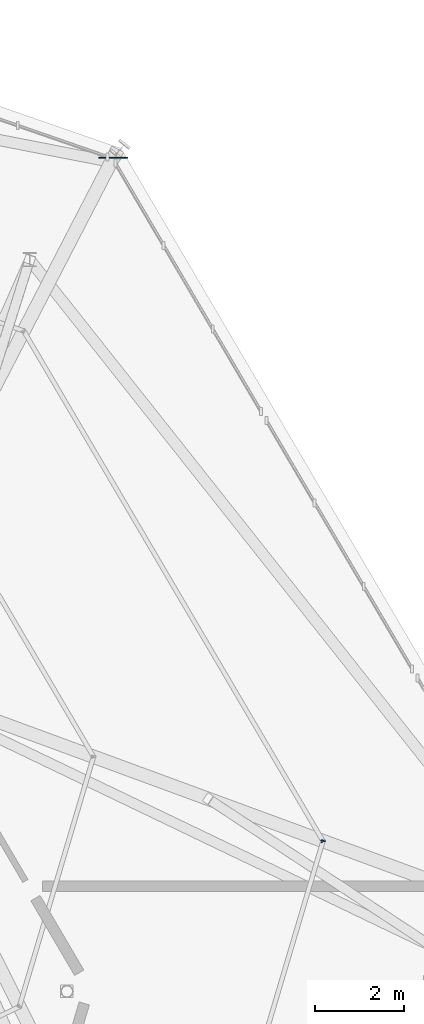
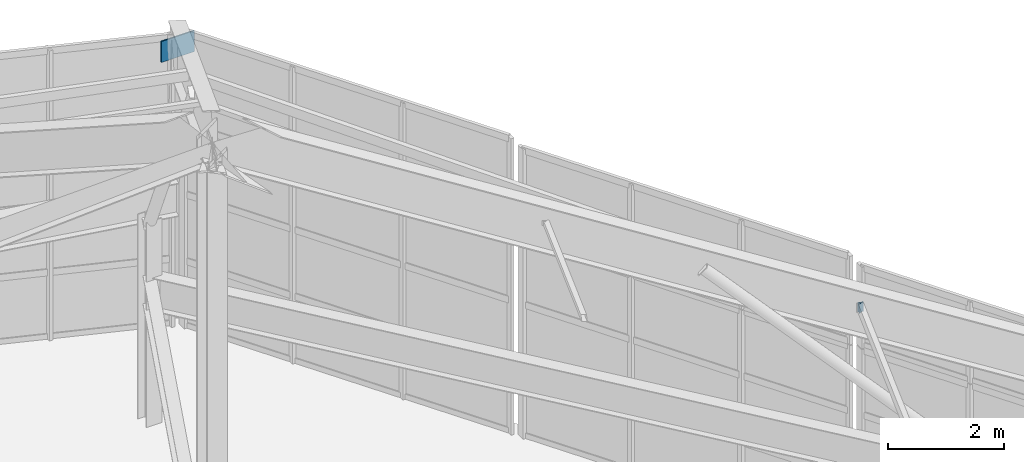
# One storey, part 40 of 50: 3 plates.
"""IFC4 building model written with IfcOpenShell, lengths in metres."""

from ifc_helpers import new_model, si_unit, direction, frame, origin, origin_2d, place, context, subcontext, project, spatial, rectangle, extrude, material, layer, layer_set, type_object, element, save


model = new_model("IFC4")

# Units and contexts
model_context = context("Model", 3, precision=1e-05, world=origin(), true_north=direction((0.0, 1.0)))
body_context = subcontext(model_context, "Body", "Model", "MODEL_VIEW")
ifc_project = project(units=[si_unit("LENGTHUNIT", "METRE"), si_unit("AREAUNIT", "SQUARE_METRE"), si_unit("VOLUMEUNIT", "CUBIC_METRE"), si_unit("PLANEANGLEUNIT", "RADIAN"), si_unit("MASSUNIT", "GRAM", prefix="KILO")], contexts=[model_context])

# Site, building, storey
site_placement = place(None, origin())
site = spatial("IfcSite", under=ifc_project, at=site_placement, CompositionType="ELEMENT")
building_placement = place(site_placement, origin())
building = spatial("IfcBuilding", under=site, at=building_placement, Name="Sarnbrook Museum", CompositionType="ELEMENT")
storey_placement = place(building_placement, frame((0.0, 0.0, 28.10009765625)))
storey = spatial("IfcBuildingStorey", under=building, at=storey_placement, Name="L05", CompositionType="ELEMENT", Elevation=28.10009765625)

# Plates
ifc_material = material(Name="Structural Steel Grade 350L0 (AS/NZS 3678, fy = 340 MPa for 20 < t <= 40 mm)", Category="steel")
ifc_layer_1 = layer(ifc_material, 0.01611328125)
ifc_layer_set_1 = layer_set([ifc_layer_1], Name="Structural Steel Grade 350L0 (AS/NZS 3678, fy = 340 MPa for 20 < t <= 40 mm)")
plate_type_1 = type_object("IfcPlateType", Name="EndCapPlate_CAP200x100", PredefinedType="USERDEFINED", material=ifc_layer_set_1)
for number, where, z_axis, x_axis, name in (
    (1, (160.136962890625, 89.59033203125, 7.996826171875), (0.284432390373, 0.95806399474, 0.034808006118), (-0.958644916545, 0.284604855865, 0.0), "Hollow End Cap Plate CRPR:3:1-2"),
    (2, (160.14501953125, 89.57666015625, 7.99658203125), (-0.50593491444, 0.862282401163, 0.022336584212), (-0.862497587947, -0.506061172969, 0.0), "Hollow End Cap Plate CRPR:4:1-1"),
):
    element("IfcPlate", number, at=place(storey_placement, frame(where, z_axis=z_axis, x_axis=x_axis)), inside=storey, type_object=plate_type_1, Name=name, ObjectType="END CAP PLATE", PredefinedType="USERDEFINED", context=body_context, shape_type="SweptSolid", body=[
        extrude(rectangle(XDim=0.10009765625, YDim=0.199951171875, at=origin_2d()), origin(), (0.0, 0.0, 1.0), 0.01611328125),
    ])
ifc_layer_2 = layer(ifc_material, 0.028076171875)
ifc_layer_set_2 = layer_set([ifc_layer_2], Name="Structural Steel Grade 350L0 (AS/NZS 3678, fy = 340 MPa for 20 < t <= 40 mm)")
plate_type_2 = type_object("IfcPlateType", Name="GussetPlate_KN5", PredefinedType="USERDEFINED", material=ifc_layer_set_2)
plate_placement = place(storey_placement, frame((155.423828125, 104.9482421875, 5.599853515625), z_axis=(0.0, 0.0, 1.0), x_axis=(1.0, 0.0, 0.0)))
element("IfcPlate", 3, at=plate_placement, inside=storey, type_object=plate_type_2, Name="Crystal Roof Eaves Node Plate KN5-5", ObjectType="GUSSET PLATE", PredefinedType="USERDEFINED", context=body_context, shape_type="SweptSolid", body=[
    extrude(rectangle(XDim=0.659912109375, YDim=0.028076171875, at=origin_2d()), origin(), (0.0, 0.0, 1.0), 0.43994140625),
])

save(model, "model.ifc")
